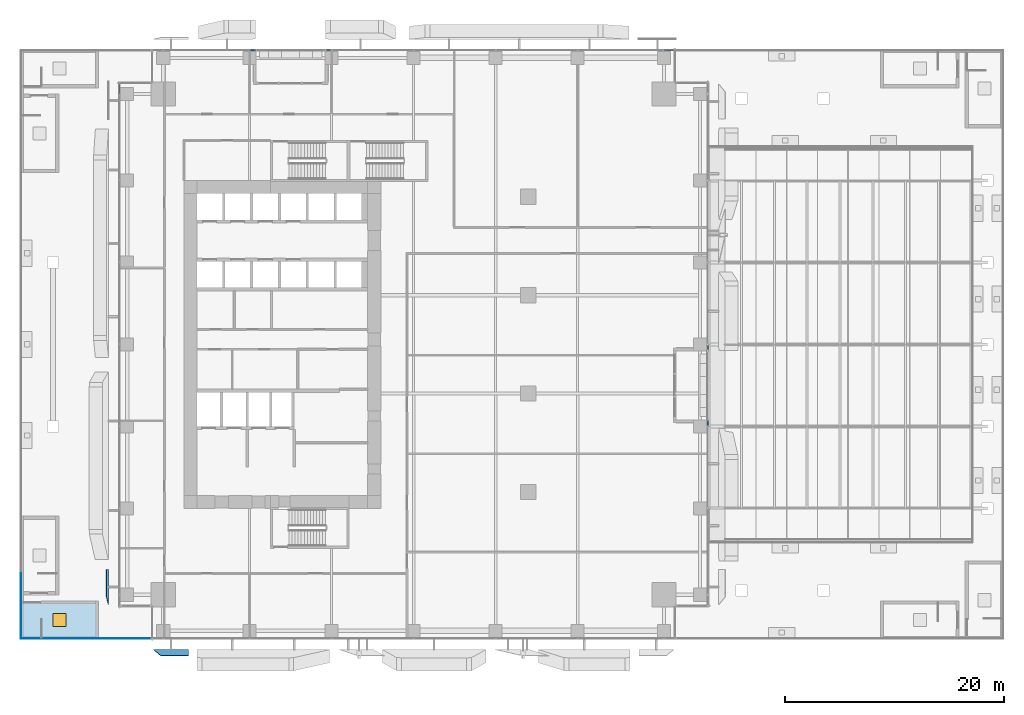
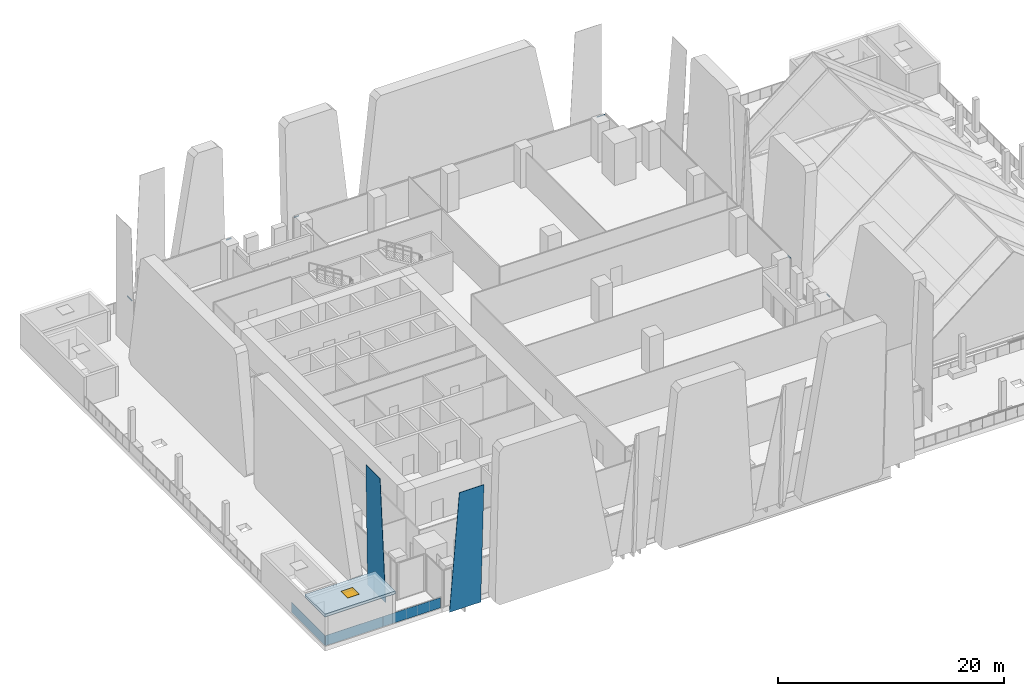
# One storey, part 25 of 46: 6 members, 5 plates, 1 slab, 1 window, 1 opening, 5 elements without a shape of their own.
"""IFC4 building model written with IfcOpenShell, lengths in metres."""

from ifc_helpers import new_model, si_unit, direction, frame, origin, origin_2d, place, context, subcontext, project, spatial, polyline, rectangle, hollow_rectangle, outline, extrude, source, transform, mapped, material, layer, layer_set, material_profile, profile_set, type_object, element, fill, aggregate, save


model = new_model("IFC4")

# Units and contexts
model_context = context("Model", 3, precision=1e-05, world=origin(), true_north=direction((0.0, 1.0)))
body_context = subcontext(model_context, "Body", "Model", "MODEL_VIEW")
ifc_project = project(units=[si_unit("LENGTHUNIT", "METRE"), si_unit("AREAUNIT", "SQUARE_METRE"), si_unit("VOLUMEUNIT", "CUBIC_METRE"), si_unit("PLANEANGLEUNIT", "RADIAN"), si_unit("MASSUNIT", "GRAM", prefix="KILO")], contexts=[model_context])

# Site, building, storey
site_placement = place(None, origin())
site = spatial("IfcSite", under=ifc_project, at=site_placement, CompositionType="ELEMENT")
building_placement = place(site_placement, origin())
building = spatial("IfcBuilding", under=site, at=building_placement, Name="Khomas Fold Tower", CompositionType="ELEMENT")
storey_placement = place(building_placement, frame((0.0, 0.0, 33.0)))
storey = spatial("IfcBuildingStorey", under=building, at=storey_placement, Name="L06", CompositionType="ELEMENT", Elevation=33.0)

# Curtain wall, member
ifc_material_1 = material(Name="Aluminium framed double glazing", Category="aluminium")
curtain_wall_type = type_object("IfcCurtainWallType", Name="SK-Unitised clear-glass wall, growing floors CW1", PredefinedType="NOTDEFINED", material=ifc_material_1)
curtain_wall_1_placement = place(storey_placement, origin())
curtain_wall_1 = element("IfcCurtainWall", 1, at=curtain_wall_1_placement, inside=storey, type_object=curtain_wall_type, Name="CW1 run L06 06-0", PredefinedType="NOTDEFINED")
ifc_material_2 = material(Name="Aluminium", Category="aluminium")
ifc_material_profile = material_profile(ifc_material_2, hollow_rectangle(XDim=0.06005859375, YDim=0.1201171875, WallThickness=0.00390625, at=origin_2d()), Name="SK-Unitised clear-glass wall, growing floors transom CW1-T")
ifc_profile_set = profile_set([ifc_material_profile], Name="Aluminium")
member_type = type_object("IfcMemberType", Name="SK-Unitised clear-glass wall, growing floors transom CW1-T", PredefinedType="USERDEFINED", material=ifc_profile_set)
shared_shape_1 = source(origin(), body_context, "Body", "SweptSolid", [
    extrude(hollow_rectangle(XDim=0.06005859375, YDim=0.1201171875, WallThickness=0.00390625, at=origin_2d()), origin(), (0.0, 0.0, 1.0), 0.81005859375),
])
member_1_placement = place(storey_placement, frame((50.739990234375, 53.89990234375, 3.93994140625), z_axis=(-1.0, 0.0, 0.0), x_axis=(0.0, -1.0, 0.0)))
member_1 = element("IfcMember", 2, at=member_1_placement, type_object=member_type, Name="CW1 transom 1", ObjectType="TRANSOM", PredefinedType="USERDEFINED", context=body_context, shape_type="MappedRepresentation", body=[
    mapped(shared_shape_1, transform((0.0, 0.0, 0.0))),
])

curtain_wall_2_placement = place(storey_placement, origin())
curtain_wall_2 = element("IfcCurtainWall", 3, at=curtain_wall_2_placement, inside=storey, type_object=curtain_wall_type, Name="CW1 run L06 09-0", PredefinedType="NOTDEFINED")
member_2_placement = place(storey_placement, frame((0.10009765625, 50.739990234375, 3.93994140625), z_axis=(0.0, -1.0, 0.0), x_axis=(1.0, 0.0, 0.0)))
member_2 = element("IfcMember", 4, at=member_2_placement, type_object=member_type, Name="CW1 transom 1", ObjectType="TRANSOM", PredefinedType="USERDEFINED", context=body_context, shape_type="MappedRepresentation", body=[
    mapped(shared_shape_1, transform((0.0, 0.0, 0.0))),
])
aggregate(curtain_wall_2, [member_2])

curtain_wall_3_placement = place(storey_placement, origin())
curtain_wall_3 = element("IfcCurtainWall", 5, at=curtain_wall_3_placement, inside=storey, type_object=curtain_wall_type, Name="CW1 run L06 03-0", PredefinedType="NOTDEFINED")
shared_shape_2 = source(origin(), body_context, "Body", "SweptSolid", [
    extrude(hollow_rectangle(XDim=0.06005859375, YDim=0.1201171875, WallThickness=0.00390625, at=origin_2d()), origin(), (0.0, 0.0, 1.0), 0.510009765625),
])
member_3_placement = place(storey_placement, frame((53.89990234375, 19.530029296875, 3.93994140625), z_axis=(0.0, 1.0, 0.0), x_axis=(-1.0, 0.0, 0.0)))
member_3 = element("IfcMember", 6, at=member_3_placement, type_object=member_type, Name="CW1 transom 4", ObjectType="TRANSOM", PredefinedType="USERDEFINED", context=body_context, shape_type="MappedRepresentation", body=[
    mapped(shared_shape_2, transform((0.0, 0.0, 0.0))),
])
aggregate(curtain_wall_3, [member_3])

curtain_wall_4_placement = place(storey_placement, origin())
curtain_wall_4 = element("IfcCurtainWall", 7, at=curtain_wall_4_placement, inside=storey, type_object=curtain_wall_type, Name="CW1 run L06 03-1", PredefinedType="NOTDEFINED")
member_4_placement = place(storey_placement, frame((53.89990234375, 26.4599609375, 3.93994140625), z_axis=(0.0, 1.0, 0.0), x_axis=(-1.0, 0.0, 0.0)))
member_4 = element("IfcMember", 8, at=member_4_placement, type_object=member_type, Name="CW1 transom 1", ObjectType="TRANSOM", PredefinedType="USERDEFINED", context=body_context, shape_type="MappedRepresentation", body=[
    mapped(shared_shape_2, transform((0.0, 0.0, 0.0))),
])
aggregate(curtain_wall_4, [member_4])

# Member
member_5_placement = place(storey_placement, frame((19.469970703125, 53.89990234375, 3.93994140625), z_axis=(-1.0, 0.0, 0.0), x_axis=(0.0, -1.0, 0.0)))
member_5 = element("IfcMember", 9, at=member_5_placement, type_object=member_type, Name="CW1 transom 6", ObjectType="TRANSOM", PredefinedType="USERDEFINED", context=body_context, shape_type="MappedRepresentation", body=[
    mapped(shared_shape_2, transform((0.0, 0.0, 0.0))),
])

aggregate(curtain_wall_1, [member_1, member_5])

# Curtain wall, member
curtain_wall_5_placement = place(storey_placement, origin())
curtain_wall_5 = element("IfcCurtainWall", 10, at=curtain_wall_5_placement, inside=storey, type_object=curtain_wall_type, Name="CW1 run L06 06-1", PredefinedType="NOTDEFINED")
member_6_placement = place(storey_placement, frame((12.5400390625, 53.89990234375, 3.93994140625), z_axis=(-1.0, 0.0, 0.0), x_axis=(0.0, -1.0, 0.0)))
member_6 = element("IfcMember", 11, at=member_6_placement, type_object=member_type, Name="CW1 transom 1", ObjectType="TRANSOM", PredefinedType="USERDEFINED", context=body_context, shape_type="MappedRepresentation", body=[
    mapped(shared_shape_2, transform((0.0, 0.0, 0.0))),
])
aggregate(curtain_wall_5, [member_6])

# Plates
ifc_material_3 = material(Name="Clear laminated glass", Category="glass")
ifc_layer_1 = layer(ifc_material_3, 0.0400390625)
ifc_layer_set_1 = layer_set([ifc_layer_1], Name="Clear laminated glass")
plate_type_1 = type_object("IfcPlateType", Name="SK-Clear laminated glass leaf", PredefinedType="SHEET", material=ifc_layer_set_1)
plate_1_placement = place(storey_placement, frame((6.39990234375, -0.89990234375, 0.0), z_axis=(0.0, 0.99904235518, 0.043753543365), x_axis=(-1.0, 0.0, 0.0)))
element("IfcPlate", 12, at=plate_1_placement, inside=storey, type_object=plate_type_1, Name="OUTER SKIN glass L06 SG098-1", PredefinedType="SHEET", context=body_context, shape_type="SweptSolid", body=[
    extrude(outline(polyline([(0.0, 0.0), (3.19970703125, 0.0), (2.513671875, 13.062558119247585), (0.0, 13.062558119247585), (0.0, 0.0)])), origin(), (0.0, 0.0, -1.0), 0.0400390625),
])
plate_2_placement = place(storey_placement, frame((-0.89990234375, 6.39990234375, 0.0), z_axis=(0.999913527075, 0.0, 0.013150603512), x_axis=(0.0, -1.0, 0.0)))
element("IfcPlate", 13, at=plate_2_placement, inside=storey, type_object=plate_type_1, Name="OUTER SKIN glass L06 WG098-1", PredefinedType="SHEET", context=body_context, shape_type="SweptSolid", body=[
    extrude(outline(polyline([(0.0, 0.0), (3.19970703125, 0.0), (2.513671875, -13.051177401611568), (0.0, -13.051177401611568), (0.0, 0.0)])), origin(), (0.0, 0.0, -1.0), 0.0400390625),
])
ifc_material_4 = material(Name="Laminated toughened glass", Category="glass")
ifc_layer_2 = layer(ifc_material_4, 0.030029296875)
ifc_layer_set_2 = layer_set([ifc_layer_2], Name="Laminated toughened glass")
plate_type_2 = type_object("IfcPlateType", Name="Guard glass infill GD-GI", PredefinedType="SHEET", material=ifc_layer_set_2)
shared_shape_3 = source(origin(), body_context, "Body", "SweptSolid", [
    extrude(rectangle(XDim=5.977783203125, YDim=0.030029296875, at=origin_2d()), origin(), (0.0, 0.0, 1.0), 1.10009765625),
])
plate_3_placement = place(storey_placement, frame((-8.89990234375, 3.0888671875, 0.0), z_axis=(0.0, 0.0, 1.0), x_axis=(0.0, 1.0, 0.0)))
element("IfcPlate", 14, at=plate_3_placement, inside=storey, type_object=plate_type_2, Name="Guard glass infill", PredefinedType="SHEET", context=body_context, shape_type="MappedRepresentation", body=[
    mapped(shared_shape_3, transform((0.0, 0.0, 0.0))),
])
shared_shape_4 = source(origin(), body_context, "Body", "SweptSolid", [
    extrude(rectangle(XDim=5.89501953125, YDim=0.030029296875, at=origin_2d()), origin(), (0.0, 0.0, 1.0), 1.10009765625),
])
for number, where, z_axis, x_axis, name in (
    (15, (-0.0576171875, 0.10009765625, 0.0), (0.0, 0.0, 1.0), (-1.0, 0.0, 0.0), "Guard glass infill"),
    (16, (-5.952392578125, 0.10009765625, 0.0), (0.0, 0.0, 1.0), (-1.0, 0.0, 0.0), "Guard glass infill"),
):
    element("IfcPlate", number, at=place(storey_placement, frame(where, z_axis=z_axis, x_axis=x_axis)), inside=storey, type_object=plate_type_2, Name=name, PredefinedType="SHEET", context=body_context, shape_type="MappedRepresentation", body=[
        mapped(shared_shape_4, transform((0.0, 0.0, 0.0))),
    ])

# Slab, opening, window
ifc_material_5 = material(Name="Concrete C40/50", Category="concrete")
ifc_layer_3 = layer(ifc_material_5, 0.300048828125)
ifc_layer_set_3 = layer_set([ifc_layer_3], Name="Concrete C40/50")
slab_type = type_object("IfcSlabType", Name="Stair head house roof slab PD-HR", PredefinedType="ROOF", material=ifc_layer_set_3)
shared_shape_5 = source(origin(), body_context, "Body", "SweptSolid", [
    extrude(outline(polyline([(-9.0, 0.0), (-1.800048828125, 0.0), (-1.800048828125, 3.550048828125), (-9.0, 3.550048828125), (-9.0, 0.0)])), origin(), (0.0, 0.0, 1.0), 0.300048828125),
])
slab_placement = place(storey_placement, frame((0.0, 0.0, 3.199951171875)))
slab = element("IfcSlab", 17, at=slab_placement, inside=storey, type_object=slab_type, Name="Stair head roof PS1", PredefinedType="ROOF", context=body_context, shape_type="MappedRepresentation", body=[
    mapped(shared_shape_5, transform((0.0, 0.0, 0.0))),
])
opening_placement = place(slab_placement, frame((-5.39990234375, 1.77490234375, 0.0)))
opening = element("IfcOpeningElement", 18, at=opening_placement, cuts=slab, Name="Opening PD-SV", PredefinedType="OPENING", context=body_context, shape_type="SweptSolid", body=[
    extrude(rectangle(XDim=1.199951171875, YDim=1.199951171875, at=origin_2d()), origin(), (0.0, 0.0, 1.0), 0.300048828125),
])
ifc_material_6 = material(Name="Insulated aluminium", Category="aluminium")
window_type = type_object("IfcWindowType", Name="Stair smoke vent", PartitioningType="SINGLE_PANEL", PredefinedType="SKYLIGHT", material=ifc_material_6)
window_placement = place(opening_placement, frame((0.0, 0.0, 0.25)))
window = element("IfcWindow", 19, at=window_placement, inside=storey, type_object=window_type, Name="Stair smoke vent PS1", OverallHeight=1.199951171875, OverallWidth=1.199951171875, PartitioningType="SINGLE_PANEL", PredefinedType="SKYLIGHT", context=body_context, shape_type="SweptSolid", body=[
    extrude(rectangle(XDim=1.199951171875, YDim=1.199951171875, at=origin_2d()), origin(), (0.0, 0.0, 1.0), 0.050048828125),
])
fill(opening, window)

save(model, "model.ifc")
